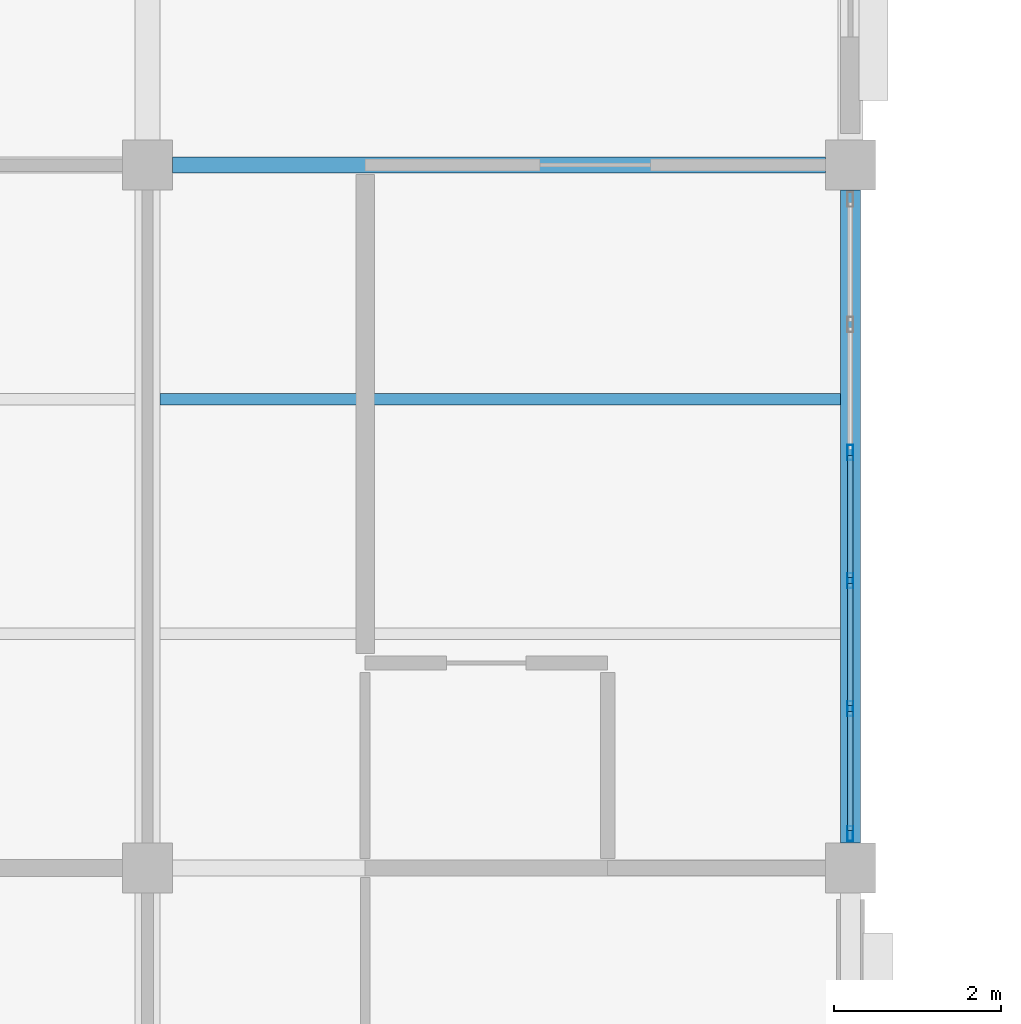
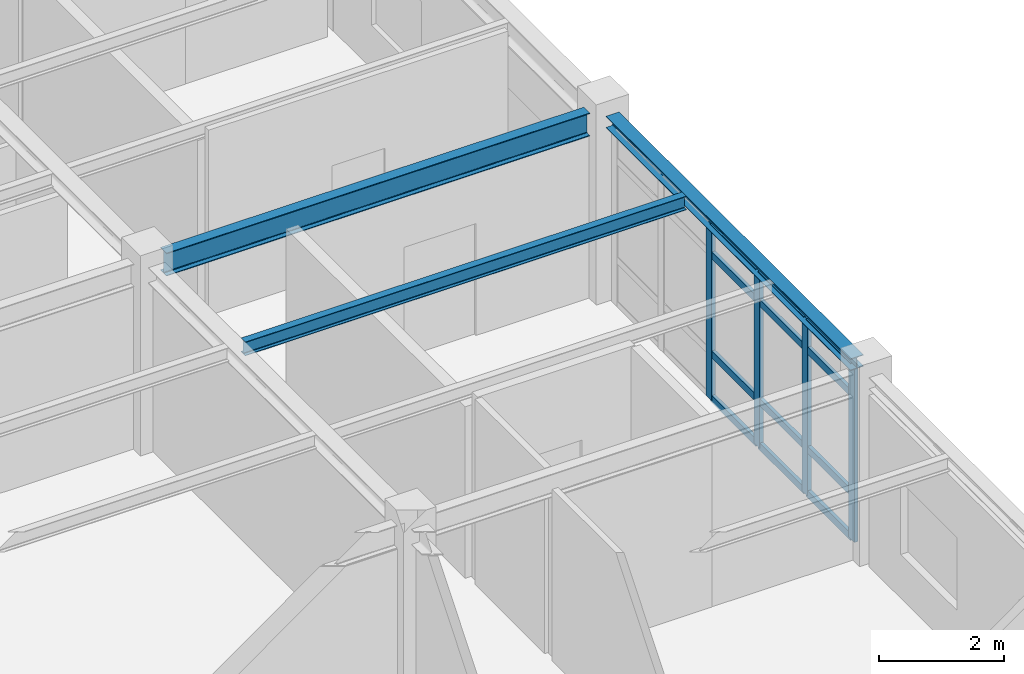
# One storey, part 14 of 70: 16 members, 3 beams, 1 element without a shape of its own.
"""IFC4 building model written with IfcOpenShell, lengths in metres."""

from ifc_helpers import new_model, si_unit, direction, frame, origin, origin_2d, place, context, subcontext, project, spatial, hollow_rectangle, i_section, extrude, material, layer, layer_set, material_profile, profile_set, type_object, element, aggregate, save


model = new_model("IFC4")

# Units and contexts
model_context = context("Model", 3, precision=1e-05, world=origin(), true_north=direction((0.0, 1.0)))
body_context = subcontext(model_context, "Body", "Model", "MODEL_VIEW")
ifc_project = project(units=[si_unit("LENGTHUNIT", "METRE"), si_unit("AREAUNIT", "SQUARE_METRE"), si_unit("VOLUMEUNIT", "CUBIC_METRE"), si_unit("PLANEANGLEUNIT", "RADIAN"), si_unit("MASSUNIT", "GRAM", prefix="KILO")], contexts=[model_context])

# Site, building, storey
site_placement = place(None, origin())
site = spatial("IfcSite", under=ifc_project, at=site_placement, CompositionType="ELEMENT")
building_placement = place(site_placement, origin())
building = spatial("IfcBuilding", under=site, at=building_placement, Name="Bramfleet General Hospital", CompositionType="ELEMENT")
storey_placement = place(building_placement, frame((0.0, 0.0, 22.5)))
storey = spatial("IfcBuildingStorey", under=building, at=storey_placement, Name="L05", CompositionType="ELEMENT", Elevation=22.5)

# Beams
ifc_material_1 = material(Name="Steel S355", Category="steel")
ifc_material_profile_1 = material_profile(ifc_material_1, i_section(OverallWidth=0.239990234375, OverallDepth=0.22998046875, WebThickness=0.007568359375, FlangeThickness=0.011962890625, FilletRadius=0.02099609375, at=origin_2d()), Name="HEA 240")
ifc_profile_set_1 = profile_set([ifc_material_profile_1], Name="Steel S355")
beam_type_1 = type_object("IfcBeamType", Name="BM-HEA240", PredefinedType="SPANDREL", material=ifc_profile_set_1)
beam_1_placement = place(storey_placement, frame((117.60009765625, 50.699951171875, 3.5048828125), z_axis=(0.0, 1.0, 0.0), x_axis=(-1.0, 0.0, 0.0)))
element("IfcBeam", 1, at=beam_1_placement, inside=storey, type_object=beam_type_1, Name="L05 Grid Beam Y 14-06", PredefinedType="SPANDREL", context=body_context, shape_type="SweptSolid", body=[
    extrude(i_section(OverallWidth=0.239990234375, OverallDepth=0.22998046875, WebThickness=0.007568359375, FlangeThickness=0.011962890625, FilletRadius=0.02099609375, at=origin_2d()), origin(), (0.0, 0.0, 1.0), 7.800048828125),
])
ifc_material_profile_2 = material_profile(ifc_material_1, i_section(OverallWidth=0.135009765625, OverallDepth=0.27001953125, WebThickness=0.006591796875, FlangeThickness=0.01025390625, FilletRadius=0.014892578125, at=origin_2d()), Name="IPE 270")
ifc_profile_set_2 = profile_set([ifc_material_profile_2], Name="Steel S355")
beam_type_2 = type_object("IfcBeamType", Name="BM-IPE270", PredefinedType="JOIST", material=ifc_profile_set_2)
beam_2_placement = place(storey_placement, frame((109.35009765625, 56.0, 3.485107421875), z_axis=(1.0, 0.0, 0.0), x_axis=(0.0, 1.0, 0.0)))
element("IfcBeam", 2, at=beam_2_placement, inside=storey, type_object=beam_type_2, Name="L05 Secondary Joist 13-06-2", PredefinedType="JOIST", context=body_context, shape_type="SweptSolid", body=[
    extrude(i_section(OverallWidth=0.135009765625, OverallDepth=0.27001953125, WebThickness=0.006591796875, FlangeThickness=0.01025390625, FilletRadius=0.014892578125, at=origin_2d()), origin(), (0.0, 0.0, 1.0), 8.1298828125),
])
ifc_material_profile_3 = material_profile(ifc_material_1, i_section(OverallWidth=0.18994140625, OverallDepth=0.449951171875, WebThickness=0.009521484375, FlangeThickness=0.0146484375, FilletRadius=0.02099609375, at=origin_2d()), Name="IPE 450")
ifc_profile_set_3 = profile_set([ifc_material_profile_3], Name="Steel S355")
beam_type_3 = type_object("IfcBeamType", Name="BM-IPE450", PredefinedType="BEAM", material=ifc_profile_set_3)
beam_3_placement = place(storey_placement, frame((109.5, 58.800048828125, 3.39501953125), z_axis=(1.0, 0.0, 0.0), x_axis=(0.0, 1.0, 0.0)))
element("IfcBeam", 3, at=beam_3_placement, inside=storey, type_object=beam_type_3, Name="L05 Grid Beam X 13-07", PredefinedType="BEAM", context=body_context, shape_type="SweptSolid", body=[
    extrude(i_section(OverallWidth=0.18994140625, OverallDepth=0.449951171875, WebThickness=0.009521484375, FlangeThickness=0.0146484375, FilletRadius=0.02099609375, at=origin_2d()), origin(), (0.0, 0.0, 1.0), 7.800048828125),
])

# Curtain wall, members
ifc_material_2 = material(Name="Anodised aluminium and low-E triple glazing", Category="aluminium")
ifc_layer = layer(ifc_material_2, 0.179931640625, Name="CWT-CW-09")
ifc_layer_set = layer_set([ifc_layer], Name="Anodised aluminium and low-E triple glazing")
curtain_wall_type = type_object("IfcCurtainWallType", Name="CWT-CW-09", PredefinedType="USERDEFINED", material=ifc_layer_set)
curtain_wall_placement = place(storey_placement, origin())
curtain_wall = element("IfcCurtainWall", 4, at=curtain_wall_placement, inside=storey, type_object=curtain_wall_type, Name="L05 Curtain Wall 207", ObjectType="Unitised curtain wall", PredefinedType="USERDEFINED")
ifc_material_3 = material(Name="Anodised aluminium EN AW-6060", Category="aluminium")
ifc_material_profile_4 = material_profile(ifc_material_3, hollow_rectangle(XDim=0.070068359375, YDim=0.179931640625, WallThickness=0.00390625, at=origin_2d()), Name="ALU 180x70x4.0")
ifc_profile_set_4 = profile_set([ifc_material_profile_4], Name="Anodised aluminium EN AW-6060")
member_type_1 = type_object("IfcMemberType", Name="CWM-ALU180", PredefinedType="MULLION", material=ifc_profile_set_4)
member_1_placement = place(storey_placement, frame((117.60009765625, 55.364990234375, 0.0), z_axis=(0.0, 0.0, 1.0), x_axis=(1.0, 0.0, 0.0)))
member_1 = element("IfcMember", 5, at=member_1_placement, type_object=member_type_1, Name="CW-09 mullion 3", PredefinedType="MULLION", context=body_context, shape_type="SweptSolid", body=[
    extrude(hollow_rectangle(XDim=0.070068359375, YDim=0.179931640625, WallThickness=0.00390625, at=origin_2d()), origin(), (0.0, 0.0, 1.0), 3.3798828125),
])
member_2_placement = place(storey_placement, frame((117.60009765625, 53.8349609375, 0.0), z_axis=(0.0, 0.0, 1.0), x_axis=(1.0, 0.0, 0.0)))
member_2 = element("IfcMember", 6, at=member_2_placement, type_object=member_type_1, Name="CW-09 mullion 4", PredefinedType="MULLION", context=body_context, shape_type="SweptSolid", body=[
    extrude(hollow_rectangle(XDim=0.070068359375, YDim=0.179931640625, WallThickness=0.00390625, at=origin_2d()), origin(), (0.0, 0.0, 1.0), 3.3798828125),
])
member_3_placement = place(storey_placement, frame((117.60009765625, 52.304931640625, 0.0), z_axis=(0.0, 0.0, 1.0), x_axis=(1.0, 0.0, 0.0)))
member_3 = element("IfcMember", 7, at=member_3_placement, type_object=member_type_1, Name="CW-09 mullion 5", PredefinedType="MULLION", context=body_context, shape_type="SweptSolid", body=[
    extrude(hollow_rectangle(XDim=0.070068359375, YDim=0.179931640625, WallThickness=0.00390625, at=origin_2d()), origin(), (0.0, 0.0, 1.0), 3.3798828125),
])
member_4_placement = place(storey_placement, frame((117.60009765625, 50.81005859375, 0.0), z_axis=(0.0, 0.0, 1.0), x_axis=(1.0, 0.0, 0.0)))
member_4 = element("IfcMember", 8, at=member_4_placement, type_object=member_type_1, Name="CW-09 mullion 6", PredefinedType="MULLION", context=body_context, shape_type="SweptSolid", body=[
    extrude(hollow_rectangle(XDim=0.070068359375, YDim=0.179931640625, WallThickness=0.00390625, at=origin_2d()), origin(), (0.0, 0.0, 1.0), 3.3798828125),
])
ifc_material_profile_5 = material_profile(ifc_material_3, hollow_rectangle(XDim=0.06494140625, YDim=0.139892578125, WallThickness=0.00390625, at=origin_2d()), Name="ALU 140x65x4.0")
ifc_profile_set_5 = profile_set([ifc_material_profile_5], Name="Anodised aluminium EN AW-6060")
member_type_2 = type_object("IfcMemberType", Name="CWT-ALU140", PredefinedType="USERDEFINED", material=ifc_profile_set_5)
member_5_placement = place(storey_placement, frame((117.60009765625, 55.330078125, 0.032470703125), z_axis=(0.0, -1.0, 0.0), x_axis=(1.0, 0.0, 0.0)))
member_5 = element("IfcMember", 9, at=member_5_placement, type_object=member_type_2, Name="CW-09 transom 3.1", ObjectType="TRANSOM", PredefinedType="USERDEFINED", context=body_context, shape_type="SweptSolid", body=[
    extrude(hollow_rectangle(XDim=0.06494140625, YDim=0.139892578125, WallThickness=0.00390625, at=origin_2d()), origin(), (0.0, 0.0, 1.0), 1.4599609375),
])
member_6_placement = place(storey_placement, frame((117.60009765625, 55.330078125, 0.89990234375), z_axis=(0.0, -1.0, 0.0), x_axis=(1.0, 0.0, 0.0)))
member_6 = element("IfcMember", 10, at=member_6_placement, type_object=member_type_2, Name="CW-09 transom 3.2", ObjectType="TRANSOM", PredefinedType="USERDEFINED", context=body_context, shape_type="SweptSolid", body=[
    extrude(hollow_rectangle(XDim=0.06494140625, YDim=0.139892578125, WallThickness=0.00390625, at=origin_2d()), origin(), (0.0, 0.0, 1.0), 1.4599609375),
])
member_7_placement = place(storey_placement, frame((117.60009765625, 55.330078125, 2.830078125), z_axis=(0.0, -1.0, 0.0), x_axis=(1.0, 0.0, 0.0)))
member_7 = element("IfcMember", 11, at=member_7_placement, type_object=member_type_2, Name="CW-09 transom 3.3", ObjectType="TRANSOM", PredefinedType="USERDEFINED", context=body_context, shape_type="SweptSolid", body=[
    extrude(hollow_rectangle(XDim=0.06494140625, YDim=0.139892578125, WallThickness=0.00390625, at=origin_2d()), origin(), (0.0, 0.0, 1.0), 1.4599609375),
])
member_8_placement = place(storey_placement, frame((117.60009765625, 55.330078125, 3.347412109375), z_axis=(0.0, -1.0, 0.0), x_axis=(1.0, 0.0, 0.0)))
member_8 = element("IfcMember", 12, at=member_8_placement, type_object=member_type_2, Name="CW-09 transom 3.4", ObjectType="TRANSOM", PredefinedType="USERDEFINED", context=body_context, shape_type="SweptSolid", body=[
    extrude(hollow_rectangle(XDim=0.06494140625, YDim=0.139892578125, WallThickness=0.00390625, at=origin_2d()), origin(), (0.0, 0.0, 1.0), 1.4599609375),
])
member_9_placement = place(storey_placement, frame((117.60009765625, 53.800048828125, 0.032470703125), z_axis=(0.0, -1.0, 0.0), x_axis=(1.0, 0.0, 0.0)))
member_9 = element("IfcMember", 13, at=member_9_placement, type_object=member_type_2, Name="CW-09 transom 4.1", ObjectType="TRANSOM", PredefinedType="USERDEFINED", context=body_context, shape_type="SweptSolid", body=[
    extrude(hollow_rectangle(XDim=0.06494140625, YDim=0.139892578125, WallThickness=0.00390625, at=origin_2d()), origin(), (0.0, 0.0, 1.0), 1.4599609375),
])
member_10_placement = place(storey_placement, frame((117.60009765625, 53.800048828125, 0.89990234375), z_axis=(0.0, -1.0, 0.0), x_axis=(1.0, 0.0, 0.0)))
member_10 = element("IfcMember", 14, at=member_10_placement, type_object=member_type_2, Name="CW-09 transom 4.2", ObjectType="TRANSOM", PredefinedType="USERDEFINED", context=body_context, shape_type="SweptSolid", body=[
    extrude(hollow_rectangle(XDim=0.06494140625, YDim=0.139892578125, WallThickness=0.00390625, at=origin_2d()), origin(), (0.0, 0.0, 1.0), 1.4599609375),
])
member_11_placement = place(storey_placement, frame((117.60009765625, 53.800048828125, 2.830078125), z_axis=(0.0, -1.0, 0.0), x_axis=(1.0, 0.0, 0.0)))
member_11 = element("IfcMember", 15, at=member_11_placement, type_object=member_type_2, Name="CW-09 transom 4.3", ObjectType="TRANSOM", PredefinedType="USERDEFINED", context=body_context, shape_type="SweptSolid", body=[
    extrude(hollow_rectangle(XDim=0.06494140625, YDim=0.139892578125, WallThickness=0.00390625, at=origin_2d()), origin(), (0.0, 0.0, 1.0), 1.4599609375),
])
member_12_placement = place(storey_placement, frame((117.60009765625, 53.800048828125, 3.347412109375), z_axis=(0.0, -1.0, 0.0), x_axis=(1.0, 0.0, 0.0)))
member_12 = element("IfcMember", 16, at=member_12_placement, type_object=member_type_2, Name="CW-09 transom 4.4", ObjectType="TRANSOM", PredefinedType="USERDEFINED", context=body_context, shape_type="SweptSolid", body=[
    extrude(hollow_rectangle(XDim=0.06494140625, YDim=0.139892578125, WallThickness=0.00390625, at=origin_2d()), origin(), (0.0, 0.0, 1.0), 1.4599609375),
])
member_13_placement = place(storey_placement, frame((117.60009765625, 52.27001953125, 0.032470703125), z_axis=(0.0, -1.0, 0.0), x_axis=(1.0, 0.0, 0.0)))
member_13 = element("IfcMember", 17, at=member_13_placement, type_object=member_type_2, Name="CW-09 transom 5.1", ObjectType="TRANSOM", PredefinedType="USERDEFINED", context=body_context, shape_type="SweptSolid", body=[
    extrude(hollow_rectangle(XDim=0.06494140625, YDim=0.139892578125, WallThickness=0.00390625, at=origin_2d()), origin(), (0.0, 0.0, 1.0), 1.425048828125),
])
member_14_placement = place(storey_placement, frame((117.60009765625, 52.27001953125, 0.89990234375), z_axis=(0.0, -1.0, 0.0), x_axis=(1.0, 0.0, 0.0)))
member_14 = element("IfcMember", 18, at=member_14_placement, type_object=member_type_2, Name="CW-09 transom 5.2", ObjectType="TRANSOM", PredefinedType="USERDEFINED", context=body_context, shape_type="SweptSolid", body=[
    extrude(hollow_rectangle(XDim=0.06494140625, YDim=0.139892578125, WallThickness=0.00390625, at=origin_2d()), origin(), (0.0, 0.0, 1.0), 1.425048828125),
])
member_15_placement = place(storey_placement, frame((117.60009765625, 52.27001953125, 2.830078125), z_axis=(0.0, -1.0, 0.0), x_axis=(1.0, 0.0, 0.0)))
member_15 = element("IfcMember", 19, at=member_15_placement, type_object=member_type_2, Name="CW-09 transom 5.3", ObjectType="TRANSOM", PredefinedType="USERDEFINED", context=body_context, shape_type="SweptSolid", body=[
    extrude(hollow_rectangle(XDim=0.06494140625, YDim=0.139892578125, WallThickness=0.00390625, at=origin_2d()), origin(), (0.0, 0.0, 1.0), 1.425048828125),
])
member_16_placement = place(storey_placement, frame((117.60009765625, 52.27001953125, 3.347412109375), z_axis=(0.0, -1.0, 0.0), x_axis=(1.0, 0.0, 0.0)))
member_16 = element("IfcMember", 20, at=member_16_placement, type_object=member_type_2, Name="CW-09 transom 5.4", ObjectType="TRANSOM", PredefinedType="USERDEFINED", context=body_context, shape_type="SweptSolid", body=[
    extrude(hollow_rectangle(XDim=0.06494140625, YDim=0.139892578125, WallThickness=0.00390625, at=origin_2d()), origin(), (0.0, 0.0, 1.0), 1.425048828125),
])
aggregate(curtain_wall, [member_1, member_2, member_3, member_4, member_5, member_6, member_7, member_8, member_9, member_10, member_11, member_12, member_13, member_14, member_15, member_16])

save(model, "model.ifc")
